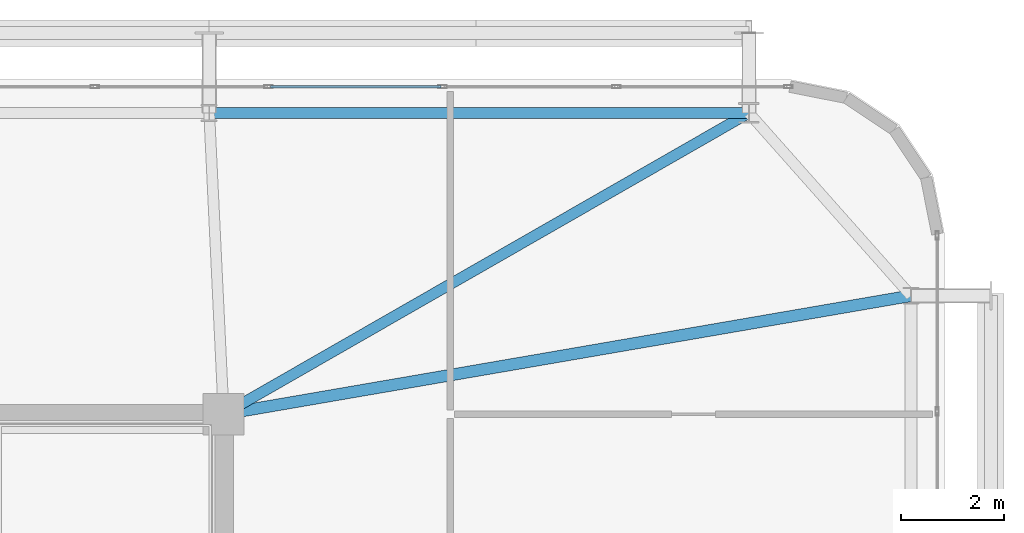
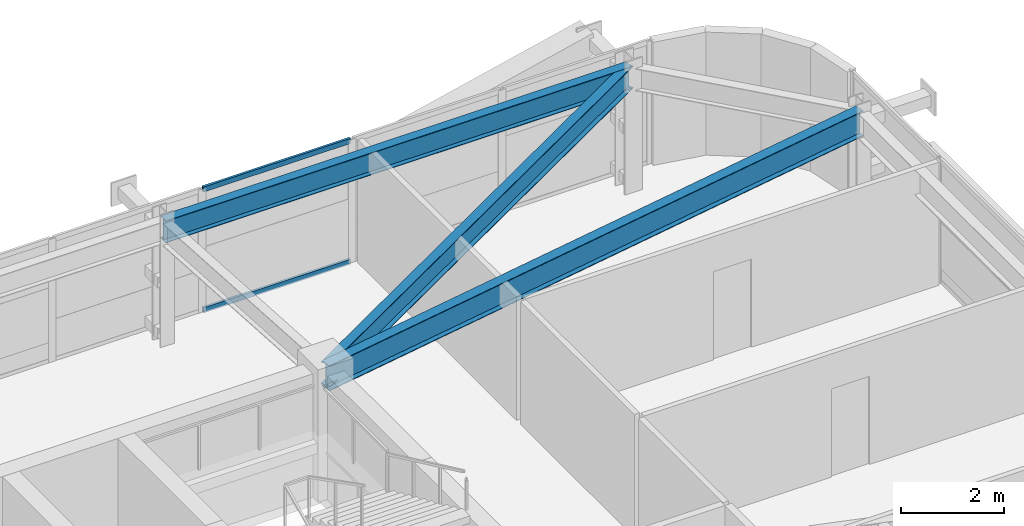
# One storey, part 39 of 58: 3 beams, 2 members, 1 element without a shape of its own.
"""IFC4 building model written with IfcOpenShell, lengths in metres."""

from ifc_helpers import new_model, si_unit, direction, frame, origin, origin_2d, place, context, subcontext, project, spatial, hollow_rectangle, i_section, extrude, source, transform, mapped, material, layer, layer_set, material_profile, profile_set, type_object, element, aggregate, save


model = new_model("IFC4")

# Units and contexts
model_context = context("Model", 3, precision=1e-05, world=origin(), true_north=direction((0.0, 1.0)))
body_context = subcontext(model_context, "Body", "Model", "MODEL_VIEW")
ifc_project = project(units=[si_unit("LENGTHUNIT", "METRE"), si_unit("AREAUNIT", "SQUARE_METRE"), si_unit("VOLUMEUNIT", "CUBIC_METRE"), si_unit("PLANEANGLEUNIT", "RADIAN"), si_unit("MASSUNIT", "GRAM", prefix="KILO")], contexts=[model_context])

# Site, building, storey
site_placement = place(None, origin())
site = spatial("IfcSite", under=ifc_project, at=site_placement, CompositionType="ELEMENT")
building_placement = place(site_placement, origin())
building = spatial("IfcBuilding", under=site, at=building_placement, Name="Taldren Reach Tower", CompositionType="ELEMENT")
storey_placement = place(building_placement, frame((0.0, 0.0, 54.60009765625)))
storey = spatial("IfcBuildingStorey", under=building, at=storey_placement, Name="L16", CompositionType="ELEMENT", Elevation=54.60009765625)

# Beams
ifc_material_1 = material(Name="Steel Gr 350 (350PLUS)", Category="steel")
ifc_material_profile_1 = material_profile(ifc_material_1, i_section(OverallWidth=0.208984375, OverallDepth=0.528076171875, WebThickness=0.009521484375, FlangeThickness=0.01318359375, at=origin_2d()), Name="530UB82.0")
ifc_profile_set_1 = profile_set([ifc_material_profile_1], Name="Steel Gr 350 (350PLUS)")
beam_type_1 = type_object("IfcBeamType", Name="SP-UB530B", PredefinedType="SPANDREL", material=ifc_profile_set_1)
shared_shape_1 = source(origin(), body_context, "Body", "SweptSolid", [
    extrude(i_section(OverallWidth=0.208984375, OverallDepth=0.528076171875, WebThickness=0.009521484375, FlangeThickness=0.01318359375, at=origin_2d()), origin(), (0.0, 0.0, 1.0), 10.47998046875),
])
beam_1_placement = place(storey_placement, frame((61.199951171875, 37.85009765625, 2.666015625), z_axis=(-1.0, 0.0, 0.0), x_axis=(0.0, -1.0, 0.0)))
element("IfcBeam", 1, at=beam_1_placement, inside=storey, type_object=beam_type_1, Name="Perimeter spandrel B1 N6-N5 L16", PredefinedType="SPANDREL", context=body_context, shape_type="MappedRepresentation", body=[
    mapped(shared_shape_1, transform((0.0, 0.0, 0.0), scale=1.0)),
])
ifc_material_profile_2 = material_profile(ifc_material_1, i_section(OverallWidth=0.22802734375, OverallDepth=0.60205078125, WebThickness=0.010498046875, FlangeThickness=0.014892578125, at=origin_2d()), Name="610UB101")
ifc_profile_set_2 = profile_set([ifc_material_profile_2], Name="Steel Gr 350 (350PLUS)")
beam_type_2 = type_object("IfcBeamType", Name="BM-UB610B", PredefinedType="BEAM", material=ifc_profile_set_2)
shared_shape_2 = source(origin(), body_context, "Body", "SweptSolid", [
    extrude(i_section(OverallWidth=0.22802734375, OverallDepth=0.60205078125, WebThickness=0.010498046875, FlangeThickness=0.014892578125, at=origin_2d()), origin(), (0.0, 0.0, 1.0), 13.546875),
])
beam_2_placement = place(storey_placement, frame((51.0, 32.0, 2.62890625), z_axis=(0.985481022998, 0.169785609847, 0.0), x_axis=(-0.169785609847, 0.985481022998, 0.0)))
element("IfcBeam", 2, at=beam_2_placement, inside=storey, type_object=beam_type_2, Name="Primary floor girder B1-E3 L16", PredefinedType="BEAM", context=body_context, shape_type="MappedRepresentation", body=[
    mapped(shared_shape_2, transform((0.0, 0.0, 0.0), scale=1.0)),
])
ifc_material_profile_3 = material_profile(ifc_material_1, i_section(OverallWidth=0.208984375, OverallDepth=0.532958984375, WebThickness=0.01025390625, FlangeThickness=0.015625, at=origin_2d()), Name="530UB92.4")
ifc_profile_set_3 = profile_set([ifc_material_profile_3], Name="Steel Gr 350 (350PLUS)")
beam_type_3 = type_object("IfcBeamType", Name="BM-UB530A", PredefinedType="BEAM", material=ifc_profile_set_3)
shared_shape_3 = source(origin(), body_context, "Body", "SweptSolid", [
    extrude(i_section(OverallWidth=0.208984375, OverallDepth=0.532958984375, WebThickness=0.01025390625, FlangeThickness=0.015625, at=origin_2d()), origin(), (0.0, 0.0, 1.0), 11.758544921875),
])
beam_3_placement = place(storey_placement, frame((51.0, 32.0, 2.663330078125), z_axis=(0.867452414141, 0.497520159593, 0.0), x_axis=(-0.497520159593, 0.867452414141, 0.0)))
element("IfcBeam", 3, at=beam_3_placement, inside=storey, type_object=beam_type_3, Name="Primary floor girder B1-N6 L16", PredefinedType="BEAM", context=body_context, shape_type="MappedRepresentation", body=[
    mapped(shared_shape_3, transform((0.0, 0.0, 0.0), scale=1.0)),
])

# Curtain wall, members
ifc_material_2 = material(Name="Aluminium and Low-E Glass Unitised System", Category="aluminium")
ifc_layer = layer(ifc_material_2, 0.159912109375)
ifc_layer_set = layer_set([ifc_layer], Name="Aluminium and Low-E Glass Unitised System")
curtain_wall_type = type_object("IfcCurtainWallType", Name="CW-SYS-2", PredefinedType="NOTDEFINED", material=ifc_layer_set)
curtain_wall_placement = place(storey_placement, origin())
curtain_wall = element("IfcCurtainWall", 4, at=curtain_wall_placement, inside=storey, type_object=curtain_wall_type, Name="Unitised curtain wall CW-L16-N", PredefinedType="NOTDEFINED")
ifc_material_3 = material(Name="Anodised Aluminium 6063-T6", Category="aluminium")
ifc_material_profile_4 = material_profile(ifc_material_3, hollow_rectangle(XDim=0.054931640625, YDim=0.1201171875, WallThickness=0.0029296875, at=origin_2d()), Name="ALU-120x55x3RHS")
ifc_profile_set_4 = profile_set([ifc_material_profile_4], Name="Anodised Aluminium 6063-T6")
member_type = type_object("IfcMemberType", Name="CW-TRN-135", PredefinedType="USERDEFINED", material=ifc_profile_set_4)
shared_shape_4 = source(origin(), body_context, "Body", "SweptSolid", [
    extrude(hollow_rectangle(XDim=0.054931640625, YDim=0.1201171875, WallThickness=0.0029296875, at=origin_2d()), origin(), (0.0, 0.0, 1.0), 3.31005859375),
])
member_1_placement = place(storey_placement, frame((55.217529296875, 38.360107421875, 0.02734375), z_axis=(-1.0, 0.0, 0.0), x_axis=(0.0, -1.0, 0.0)))
member_1 = element("IfcMember", 5, at=member_1_placement, type_object=member_type, Name="CW-2 transom 3.1", ObjectType="TRANSOM", PredefinedType="USERDEFINED", context=body_context, shape_type="MappedRepresentation", body=[
    mapped(shared_shape_4, transform((0.0, 0.0, 0.0), scale=1.0)),
])
member_2_placement = place(storey_placement, frame((55.217529296875, 38.360107421875, 2.90234375), z_axis=(-1.0, 0.0, 0.0), x_axis=(0.0, -1.0, 0.0)))
member_2 = element("IfcMember", 6, at=member_2_placement, type_object=member_type, Name="CW-2 transom 3.2", ObjectType="TRANSOM", PredefinedType="USERDEFINED", context=body_context, shape_type="MappedRepresentation", body=[
    mapped(shared_shape_4, transform((0.0, 0.0, 0.0), scale=1.0)),
])
aggregate(curtain_wall, [member_1, member_2])

save(model, "model.ifc")
